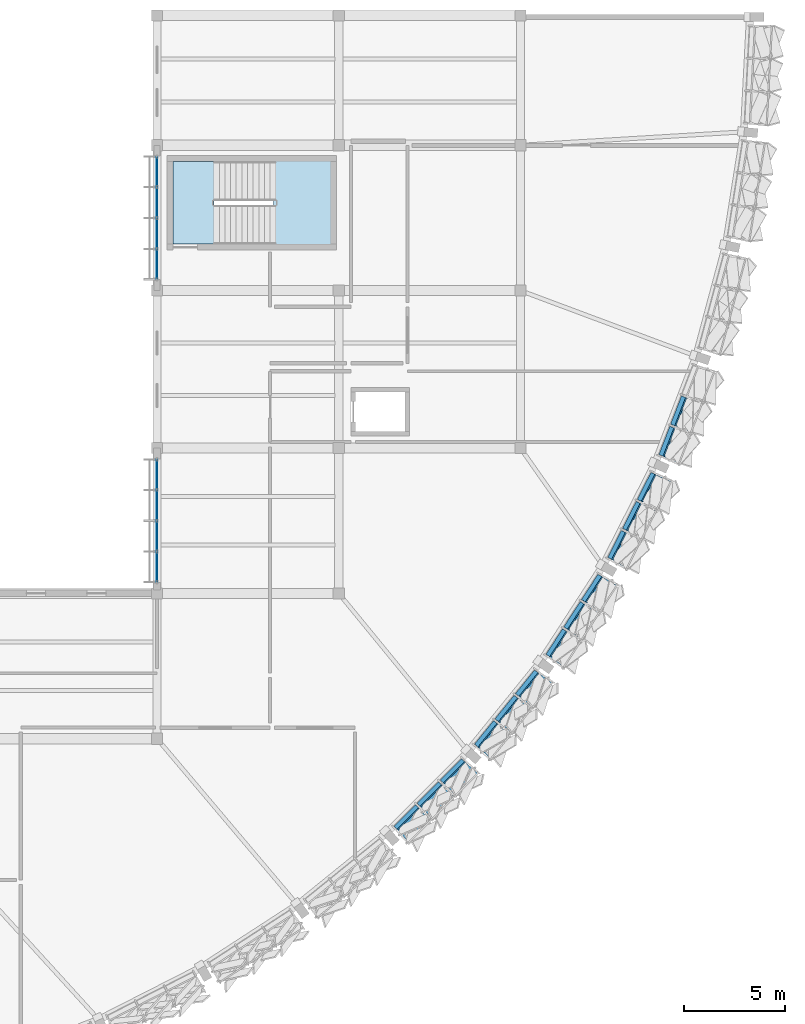
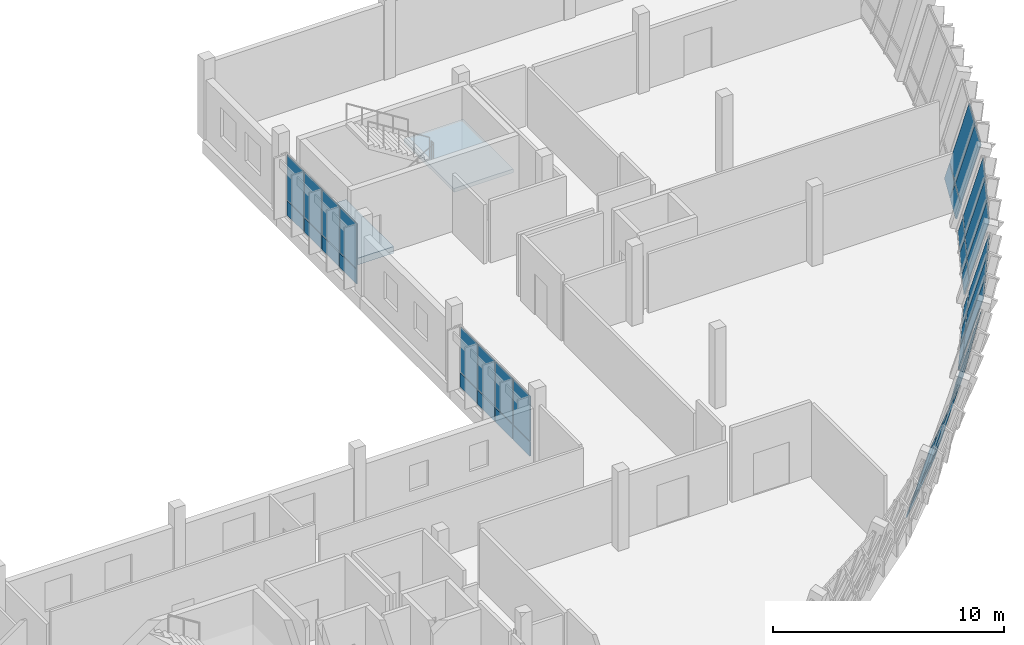
# One storey, part 77 of 94: 44 plates, 2 slabs, 8 elements without a shape of their own.
"""IFC4 building model written with IfcOpenShell, lengths in metres."""

from ifc_helpers import new_model, si_unit, direction, frame, origin, origin_2d, place, context, subcontext, project, spatial, polyline, rectangle, outline, extrude, material, layer, layer_set, type_object, element, aggregate, save


model = new_model("IFC4")

# Units and contexts
model_context = context("Model", 3, precision=1e-05, world=origin(), true_north=direction((0.0, 1.0)))
body_context = subcontext(model_context, "Body", "Model", "MODEL_VIEW")
ifc_project = project(units=[si_unit("LENGTHUNIT", "METRE"), si_unit("AREAUNIT", "SQUARE_METRE"), si_unit("VOLUMEUNIT", "CUBIC_METRE"), si_unit("PLANEANGLEUNIT", "RADIAN"), si_unit("MASSUNIT", "GRAM", prefix="KILO")], contexts=[model_context])

# Site, building, storey
site_placement = place(None, origin())
site = spatial("IfcSite", under=ifc_project, at=site_placement, CompositionType="ELEMENT")
building_placement = place(site_placement, origin())
building = spatial("IfcBuilding", under=site, at=building_placement, Name="Chiffa Square Polytechnic", CompositionType="ELEMENT")
storey_placement = place(building_placement, frame((0.0, 0.0, 18.0)))
storey = spatial("IfcBuildingStorey", under=building, at=storey_placement, Name="L04", CompositionType="ELEMENT", Elevation=18.0)

# Curtain wall, plates
ifc_material_1 = material(Name="Aluminium EN AW-6060 T66 and glulam shading", Category="wood")
curtain_wall_type_1 = type_object("IfcCurtainWallType", Name="CW-PROW-LEAN-300", PredefinedType="USERDEFINED", material=ifc_material_1)
curtain_wall_1_placement = place(storey_placement, origin())
curtain_wall_1 = element("IfcCurtainWall", 1, at=curtain_wall_1_placement, inside=storey, type_object=curtain_wall_type_1, Name="Outward-leaning diamond-fin prow curtain wall CW-V1-L04-074", ObjectType="CURTAIN WALL", PredefinedType="USERDEFINED")
ifc_material_2 = material(Name="Double glazing", Category="glass")
ifc_layer_1 = layer(ifc_material_2, 0.0419921875, Name="Double glazing")
ifc_layer_set_1 = layer_set([ifc_layer_1], Name="Double glazing")
plate_type_1 = type_object("IfcPlateType", Name="CWP-GLZ-138X126", PredefinedType="CURTAIN_PANEL", material=ifc_layer_set_1)
plate_1_placement = place(storey_placement, frame((173.27783203125, 35.58740234375, 0.8779296875), z_axis=(-0.898425546581, 0.344857250144, 0.271854766876), x_axis=(0.358353828073, 0.933585847099, 1.419332e-06)))
plate_1 = element("IfcPlate", 2, at=plate_1_placement, type_object=plate_type_1, Name="Leaning prow curtain panel CW-V1-L04-074-PN01", PredefinedType="CURTAIN_PANEL", context=body_context, shape_type="SweptSolid", body=[
    extrude(outline(polyline([(0.0, 0.0), (1.5028921894547227, 0.0), (1.4864274362400396, -3.1351633445435603), (-0.04443989789011704, -3.1351678189695193), (0.0, 0.0)])), origin(), (0.0, 0.0, -1.0), 0.0419921875),
])
plate_2_placement = place(storey_placement, frame((173.858154296875, 37.099365234375, 0.8779296875), z_axis=(-0.898382787257, 0.344965981489, 0.271858123247), x_axis=(0.358465237284, 0.933543075398, -5.901097e-06)))
plate_2 = element("IfcPlate", 3, at=plate_2_placement, type_object=plate_type_1, Name="Leaning prow curtain panel CW-V1-L04-074-PN02", PredefinedType="CURTAIN_PANEL", context=body_context, shape_type="SweptSolid", body=[
    extrude(outline(polyline([(0.0, 0.0), (1.5032076113464785, 0.0), (1.5166555842023903, -3.135177926080724), (-0.014299253882580177, -3.1351593204565655), (0.0, 0.0)])), origin(), (0.0, 0.0, -1.0), 0.0419921875),
])

curtain_wall_type_2 = type_object("IfcCurtainWallType", Name="CW-PROW-LEAN-150", PredefinedType="USERDEFINED", material=ifc_material_1)
curtain_wall_2_placement = place(storey_placement, origin())
curtain_wall_2 = element("IfcCurtainWall", 4, at=curtain_wall_2_placement, inside=storey, type_object=curtain_wall_type_2, Name="Outward-leaning diamond-fin prow curtain wall CW-V1-L04-073", ObjectType="CURTAIN WALL", PredefinedType="USERDEFINED")
ifc_layer_2 = layer(ifc_material_2, 0.0400390625, Name="Double glazing")
ifc_layer_set_2 = layer_set([ifc_layer_2], Name="Double glazing")
plate_type_2 = type_object("IfcPlateType", Name="CWP-GLZ-140X130", PredefinedType="CURTAIN_PANEL", material=ifc_layer_set_2)
plate_3_placement = place(storey_placement, frame((170.728515625, 30.47265625, 0.8779296875), z_axis=(-0.857399571789, 0.436988704776, 0.271858136157), x_axis=(0.454095679424, 0.890952924446, 1.8673782e-05)))
plate_3 = element("IfcPlate", 5, at=plate_3_placement, type_object=plate_type_2, Name="Leaning prow curtain panel CW-V1-L04-073-PN01", PredefinedType="CURTAIN_PANEL", context=body_context, shape_type="SweptSolid", body=[
    extrude(outline(polyline([(0.0, 0.0), (1.5025127706860748, 2.7755575615628914e-17), (1.4864285068759227, -3.135139794724372), (-0.04392510315198944, -3.13519864631711), (0.0, 0.0)])), origin(), (0.0, 0.0, -1.0), 0.0400390625),
])
plate_4_placement = place(storey_placement, frame((171.4638671875, 31.915283203125, 0.8779296875), z_axis=(-0.857435388735, 0.436890016484, 0.271903783795), x_axis=(0.453991950695, 0.89100578483, -1.0177481e-05)))
plate_4 = element("IfcPlate", 6, at=plate_4_placement, type_object=plate_type_2, Name="Leaning prow curtain panel CW-V1-L04-073-PN02", PredefinedType="CURTAIN_PANEL", context=body_context, shape_type="SweptSolid", body=[
    extrude(outline(polyline([(0.0, 0.0), (1.5026194419554888, 2.7755575615628914e-17), (1.5158316228126245, -3.135226684957794), (-0.014521990457310856, -3.135194608432592), (0.0, 0.0)])), origin(), (0.0, 0.0, -1.0), 0.0400390625),
])
plate_5_placement = place(storey_placement, frame((172.19921875, 33.35791015625, 0.8779296875), z_axis=(-0.857464110801, 0.436865183823, 0.271853103445), x_axis=(0.453956942268, 0.891023621556, -1.9909199e-05)))
plate_5 = element("IfcPlate", 7, at=plate_5_placement, type_object=plate_type_2, Name="Leaning prow curtain panel CW-V1-L04-073-PN03", PredefinedType="CURTAIN_PANEL", context=body_context, shape_type="SweptSolid", body=[
    extrude(outline(polyline([(0.0, 0.0), (1.5028369777661235, -2.7755575615628914e-17), (1.545793235899143, -3.1351959865249457), (0.015439626503744698, -3.1351332348226735), (0.0, 0.0)])), origin(), (0.0, 0.0, -1.0), 0.0400390625),
])

curtain_wall_3_placement = place(storey_placement, origin())
curtain_wall_3 = element("IfcCurtainWall", 8, at=curtain_wall_3_placement, inside=storey, type_object=curtain_wall_type_1, Name="Outward-leaning diamond-fin prow curtain wall CW-V1-L04-072", ObjectType="CURTAIN WALL", PredefinedType="USERDEFINED")
ifc_layer_3 = layer(ifc_material_2, 0.0400390625, Name="Double glazing")
ifc_layer_set_3 = layer_set([ifc_layer_3], Name="Double glazing")
plate_type_3 = type_object("IfcPlateType", Name="CWP-GLZ-144X134", PredefinedType="CURTAIN_PANEL", material=ifc_layer_set_3)
plate_6_placement = place(storey_placement, frame((167.65869140625, 25.65185546875, 0.8779296875), z_axis=(-0.806995457156, 0.524233297358, 0.271915027299), x_axis=(0.544756656366, 0.838594171954, -1.0447989e-05)))
plate_6 = element("IfcPlate", 9, at=plate_6_placement, type_object=plate_type_3, Name="Leaning prow curtain panel CW-V1-L04-072-PN01", PredefinedType="CURTAIN_PANEL", context=body_context, shape_type="SweptSolid", body=[
    extrude(outline(polyline([(0.0, 0.0), (1.5027812950252613, 0.0), (1.4868445509101562, -3.1352371466782776), (-0.04308992136854262, -3.1352042202716714), (0.0, 0.0)])), origin(), (0.0, 0.0, -1.0), 0.0400390625),
])
plate_7_placement = place(storey_placement, frame((168.540771484375, 27.009765625, 0.8779296875), z_axis=(-0.80700420807, 0.524238982049, 0.271878093743), x_axis=(0.544756657039, 0.838594171517, -1.0446683e-05)))
plate_7 = element("IfcPlate", 10, at=plate_7_placement, type_object=plate_type_3, Name="Leaning prow curtain panel CW-V1-L04-072-PN02", PredefinedType="CURTAIN_PANEL", context=body_context, shape_type="SweptSolid", body=[
    extrude(outline(polyline([(0.0, 0.0), (1.5027812950252373, 0.0), (1.5161676009513503, -3.1352034653993814), (-0.013766871327421135, -3.135170543465089), (0.0, 0.0)])), origin(), (0.0, 0.0, -1.0), 0.0400390625),
])
plate_8_placement = place(storey_placement, frame((169.4228515625, 28.36767578125, 0.8779296875), z_axis=(-0.807078440339, 0.524132250062, 0.271863523822), x_axis=(0.544648827393, 0.838664208528, 1.2386668e-05)))
plate_8 = element("IfcPlate", 11, at=plate_8_placement, type_object=plate_type_3, Name="Leaning prow curtain panel CW-V1-L04-072-PN03", PredefinedType="CURTAIN_PANEL", context=body_context, shape_type="SweptSolid", body=[
    extrude(outline(polyline([(0.0, 0.0), (1.502443566805338, 0.0), (1.5456546925204184, -3.1351537016749216), (0.01564846011909946, -3.1351927337338257), (0.0, 0.0)])), origin(), (0.0, 0.0, -1.0), 0.0400390625),
])

curtain_wall_4_placement = place(storey_placement, origin())
curtain_wall_4 = element("IfcCurtainWall", 12, at=curtain_wall_4_placement, inside=storey, type_object=curtain_wall_type_2, Name="Outward-leaning diamond-fin prow curtain wall CW-V1-L04-071", ObjectType="CURTAIN WALL", PredefinedType="USERDEFINED")
ifc_layer_4 = layer(ifc_material_2, 0.0380859375, Name="Double glazing")
ifc_layer_set_4 = layer_set([ifc_layer_4], Name="Double glazing")
plate_type_4 = type_object("IfcPlateType", Name="CWP-GLZ-146X138", PredefinedType="CURTAIN_PANEL", material=ifc_layer_set_4)
plate_9_placement = place(storey_placement, frame((164.102294921875, 21.177978515625, 0.8779296875), z_axis=(-0.747971515969, 0.605519194318, 0.271818168289), x_axis=(0.629203425127, 0.777240663478, -2.9065735e-05)))
plate_9 = element("IfcPlate", 13, at=plate_9_placement, type_object=plate_type_4, Name="Leaning prow curtain panel CW-V1-L04-071-PN01", PredefinedType="CURTAIN_PANEL", context=body_context, shape_type="SweptSolid", body=[
    extrude(outline(polyline([(0.0, 0.0), (1.502586668986872, 0.0), (1.486384360903116, -3.135176751574221), (-0.044114668537938474, -3.1350851435412626), (0.0, 0.0)])), origin(), (0.0, 0.0, -1.0), 0.0380859375),
])
plate_10_placement = place(storey_placement, frame((165.12109375, 22.4365234375, 0.8779296875), z_axis=(-0.74794076216, 0.605542261968, 0.27185140292), x_axis=(0.629237179502, 0.777213337365, -1.2457998e-05)))
plate_10 = element("IfcPlate", 14, at=plate_10_placement, type_object=plate_type_4, Name="Leaning prow curtain panel CW-V1-L04-071-PN02", PredefinedType="CURTAIN_PANEL", context=body_context, shape_type="SweptSolid", body=[
    extrude(outline(polyline([(0.0, 0.0), (1.5023969120229117, 0.0), (1.5161368376014908, -3.135182068392544), (-0.014018827012293409, -3.1351428103732615), (0.0, 0.0)])), origin(), (0.0, 0.0, -1.0), 0.0380859375),
])
plate_11_placement = place(storey_placement, frame((166.139892578125, 23.69482421875, 0.8779296875), z_axis=(-0.747956922678, 0.605507380341, 0.271884633938), x_axis=(0.629203422006, 0.777240666004, -2.9072275e-05)))
plate_11 = element("IfcPlate", 15, at=plate_11_placement, type_object=plate_type_4, Name="Leaning prow curtain panel CW-V1-L04-071-PN03", PredefinedType="CURTAIN_PANEL", context=body_context, shape_type="SweptSolid", body=[
    extrude(outline(polyline([(0.0, 0.0), (1.5025866689872074, 5.551115123125783e-17), (1.5462481700127555, -3.1352397402116594), (0.01574914057271287, -3.1351481097784784), (0.0, 0.0)])), origin(), (0.0, 0.0, -1.0), 0.0380859375),
])

curtain_wall_5_placement = place(storey_placement, origin())
curtain_wall_5 = element("IfcCurtainWall", 16, at=curtain_wall_5_placement, inside=storey, type_object=curtain_wall_type_1, Name="Outward-leaning diamond-fin prow curtain wall CW-V1-L04-070", ObjectType="CURTAIN WALL", PredefinedType="USERDEFINED")
ifc_layer_5 = layer(ifc_material_2, 0.0380859375, Name="Double glazing")
ifc_layer_set_5 = layer_set([ifc_layer_5], Name="Double glazing")
plate_type_5 = type_object("IfcPlateType", Name="CWP-GLZ-148X142", PredefinedType="CURTAIN_PANEL", material=ifc_layer_set_5)
plate_12_placement = place(storey_placement, frame((160.096435546875, 17.1005859375, 0.8779296875), z_axis=(-0.680520920797, 0.68044346565, 0.271823410347), x_axis=(0.707069510756, 0.707144049496, 1.4887513e-05)))
plate_12 = element("IfcPlate", 17, at=plate_12_placement, type_object=plate_type_5, Name="Leaning prow curtain panel CW-V1-L04-070-PN01", PredefinedType="CURTAIN_PANEL", context=body_context, shape_type="SweptSolid", body=[
    extrude(outline(polyline([(0.0, 0.0), (1.502947174750257, -2.7755575615628914e-17), (1.4870648980166945, -3.1351136761372533), (-0.04333101093996039, -3.1351606019617235), (0.0, 0.0)])), origin(), (0.0, 0.0, -1.0), 0.0380859375),
])
plate_13_placement = place(storey_placement, frame((161.24169921875, 18.245849609375, 0.8779296875), z_axis=(-0.68048718727, 0.68048718727, 0.271798410452), x_axis=(0.707106781187, 0.707106781187, 0.0)))
plate_13 = element("IfcPlate", 18, at=plate_13_placement, type_object=plate_type_5, Name="Leaning prow curtain panel CW-V1-L04-070-PN02", PredefinedType="CURTAIN_PANEL", context=body_context, shape_type="SweptSolid", body=[
    extrude(outline(polyline([(0.0, 0.0), (1.5026019100214136, 0.0), (1.5164125893414635, -3.1351136771951595), (-0.013810679320049757, -3.1351136771951595), (0.0, 0.0)])), origin(), (0.0, 0.0, -1.0), 0.0380859375),
])
plate_14_placement = place(storey_placement, frame((162.38671875, 19.390869140625, 0.8779296875), z_axis=(-0.680520726358, 0.680443262416, 0.271824405877), x_axis=(0.70706350423, 0.707150055332, -1.5161215e-05)))
plate_14 = element("IfcPlate", 19, at=plate_14_placement, type_object=plate_type_5, Name="Leaning prow curtain panel CW-V1-L04-070-PN03", PredefinedType="CURTAIN_PANEL", context=body_context, shape_type="SweptSolid", body=[
    extrude(outline(polyline([(0.0, 0.0), (1.5027745510911625, 0.0), (1.5460076536382674, -3.1351619535833333), (0.0157843880183862, -3.1351141704668755), (0.0, 0.0)])), origin(), (0.0, 0.0, -1.0), 0.0380859375),
])

curtain_wall_type_3 = type_object("IfcCurtainWallType", Name="CW-VERT-600X440", PredefinedType="USERDEFINED", material=ifc_material_1)
curtain_wall_6_placement = place(storey_placement, origin())
curtain_wall_6 = element("IfcCurtainWall", 20, at=curtain_wall_6_placement, inside=storey, type_object=curtain_wall_type_3, Name="Curtain wall CW-V1-L04-137", ObjectType="CURTAIN WALL", PredefinedType="USERDEFINED")
ifc_layer_6 = layer(ifc_material_2, 0.035888671875, Name="Double glazing")
ifc_layer_set_6 = layer_set([ifc_layer_6], Name="Double glazing")
plate_type_6 = type_object("IfcPlateType", Name="CWP-GLZ-150X125", PredefinedType="CURTAIN_PANEL", material=ifc_layer_set_6)
plate_15_placement = place(storey_placement, frame((148.199951171875, 34.68408203125, 0.83935546875), z_axis=(0.0, 0.0, 1.0), x_axis=(0.0, -1.0, 0.0)))
plate_15 = element("IfcPlate", 21, at=plate_15_placement, type_object=plate_type_6, Name="Glazed curtain panel CW-V1-L04-137-PN01", PredefinedType="CURTAIN_PANEL", context=body_context, shape_type="SweptSolid", body=[
    extrude(rectangle(XDim=1.4560546875, YDim=0.035888671875, at=origin_2d()), origin(), (0.0, 0.0, 1.0), 2.385009765625),
])
plate_16_placement = place(storey_placement, frame((148.199951171875, 33.1650390625, 0.83935546875), z_axis=(0.0, 0.0, 1.0), x_axis=(0.0, -1.0, 0.0)))
plate_16 = element("IfcPlate", 22, at=plate_16_placement, type_object=plate_type_6, Name="Glazed curtain panel CW-V1-L04-137-PN02", PredefinedType="CURTAIN_PANEL", context=body_context, shape_type="SweptSolid", body=[
    extrude(rectangle(XDim=1.47802734375, YDim=0.035888671875, at=origin_2d()), origin(), (0.0, 0.0, 1.0), 2.385009765625),
])
plate_17_placement = place(storey_placement, frame((148.199951171875, 31.635009765625, 0.83935546875), z_axis=(0.0, 0.0, 1.0), x_axis=(0.0, -1.0, 0.0)))
plate_17 = element("IfcPlate", 23, at=plate_17_placement, type_object=plate_type_6, Name="Glazed curtain panel CW-V1-L04-137-PN03", PredefinedType="CURTAIN_PANEL", context=body_context, shape_type="SweptSolid", body=[
    extrude(rectangle(XDim=1.47802734375, YDim=0.035888671875, at=origin_2d()), origin(), (0.0, 0.0, 1.0), 2.385009765625),
])
plate_18_placement = place(storey_placement, frame((148.199951171875, 30.115966796875, 0.83935546875), z_axis=(0.0, 0.0, 1.0), x_axis=(0.0, -1.0, 0.0)))
plate_18 = element("IfcPlate", 24, at=plate_18_placement, type_object=plate_type_6, Name="Glazed curtain panel CW-V1-L04-137-PN04", PredefinedType="CURTAIN_PANEL", context=body_context, shape_type="SweptSolid", body=[
    extrude(rectangle(XDim=1.4560546875, YDim=0.035888671875, at=origin_2d()), origin(), (0.0, 0.0, 1.0), 2.385009765625),
])

curtain_wall_type_4 = type_object("IfcCurtainWallType", Name="CW-VERT-450X440", PredefinedType="USERDEFINED", material=ifc_material_1)
curtain_wall_7_placement = place(storey_placement, origin())
curtain_wall_7 = element("IfcCurtainWall", 25, at=curtain_wall_7_placement, inside=storey, type_object=curtain_wall_type_4, Name="Curtain wall CW-V1-L04-136", ObjectType="CURTAIN WALL", PredefinedType="USERDEFINED")
ifc_layer_7 = layer(ifc_material_2, 0.035888671875, Name="Double glazing")
ifc_layer_set_7 = layer_set([ifc_layer_7], Name="Double glazing")
plate_type_7 = type_object("IfcPlateType", Name="CWP-GLZ-150X145", PredefinedType="CURTAIN_PANEL", material=ifc_layer_set_7)
plate_19_placement = place(storey_placement, frame((148.199951171875, 49.68408203125, 0.83935546875), z_axis=(0.0, 0.0, 1.0), x_axis=(0.0, -1.0, 0.0)))
plate_19 = element("IfcPlate", 26, at=plate_19_placement, type_object=plate_type_7, Name="Glazed curtain panel CW-V1-L04-136-PN01", PredefinedType="CURTAIN_PANEL", context=body_context, shape_type="SweptSolid", body=[
    extrude(rectangle(XDim=1.4560546875, YDim=0.035888671875, at=origin_2d()), origin(), (0.0, 0.0, 1.0), 2.385009765625),
])
plate_20_placement = place(storey_placement, frame((148.199951171875, 48.1650390625, 0.83935546875), z_axis=(0.0, 0.0, 1.0), x_axis=(0.0, -1.0, 0.0)))
plate_20 = element("IfcPlate", 27, at=plate_20_placement, type_object=plate_type_7, Name="Glazed curtain panel CW-V1-L04-136-PN02", PredefinedType="CURTAIN_PANEL", context=body_context, shape_type="SweptSolid", body=[
    extrude(rectangle(XDim=1.47802734375, YDim=0.035888671875, at=origin_2d()), origin(), (0.0, 0.0, 1.0), 2.385009765625),
])
plate_21_placement = place(storey_placement, frame((148.199951171875, 46.635009765625, 0.83935546875), z_axis=(0.0, 0.0, 1.0), x_axis=(0.0, -1.0, 0.0)))
plate_21 = element("IfcPlate", 28, at=plate_21_placement, type_object=plate_type_7, Name="Glazed curtain panel CW-V1-L04-136-PN03", PredefinedType="CURTAIN_PANEL", context=body_context, shape_type="SweptSolid", body=[
    extrude(rectangle(XDim=1.47802734375, YDim=0.035888671875, at=origin_2d()), origin(), (0.0, 0.0, 1.0), 2.385009765625),
])
plate_22_placement = place(storey_placement, frame((148.199951171875, 45.115966796875, 0.83935546875), z_axis=(0.0, 0.0, 1.0), x_axis=(0.0, -1.0, 0.0)))
plate_22 = element("IfcPlate", 29, at=plate_22_placement, type_object=plate_type_7, Name="Glazed curtain panel CW-V1-L04-136-PN04", PredefinedType="CURTAIN_PANEL", context=body_context, shape_type="SweptSolid", body=[
    extrude(rectangle(XDim=1.4560546875, YDim=0.035888671875, at=origin_2d()), origin(), (0.0, 0.0, 1.0), 2.385009765625),
])

# Plate
ifc_material_3 = material(Name="Aluminium insulated spandrel", Category="aluminium")
ifc_layer_8 = layer(ifc_material_3, 0.06591796875, Name="Aluminium insulated spandrel")
ifc_layer_set_8 = layer_set([ifc_layer_8], Name="Aluminium insulated spandrel")
plate_type_8 = type_object("IfcPlateType", Name="CWP-SPN-144X078", PredefinedType="SHEET", material=ifc_layer_set_8)
plate_23_placement = place(storey_placement, frame((173.063720703125, 35.682373046875, 0.050048828125), z_axis=(-0.898406167686, 0.344895808094, 0.271869894293), x_axis=(0.358389755947, 0.933572055291, -2.0308408e-05)))
plate_23 = element("IfcPlate", 30, at=plate_23_placement, type_object=plate_type_8, Name="Leaning prow curtain panel CW-V1-L04-074-SP01", PredefinedType="SHEET", context=body_context, shape_type="SweptSolid", body=[
    extrude(outline(polyline([(0.0, 0.0), (1.495547875613168, 0.0), (1.4911701217328839, -0.8022193188114987), (-0.011266220860991251, -0.8021560515003511), (0.0, 0.0)])), origin(), (0.0, 0.0, -1.0), 0.06591796875),
])

plate_24_placement = place(storey_placement, frame((173.64111328125, 37.18701171875, 0.050048828125), z_axis=(-0.898354470648, 0.344954324825, 0.27196646641), x_axis=(0.358470038693, 0.93354123162, 1.4989361e-05)))
plate_24 = element("IfcPlate", 31, at=plate_24_placement, type_object=plate_type_8, Name="Leaning prow curtain panel CW-V1-L04-074-SP02", PredefinedType="SHEET", context=body_context, shape_type="SweptSolid", body=[
    extrude(outline(polyline([(0.0, 0.0), (1.4954074627376743, -2.7755575615628914e-17), (1.498875871115455, -0.8021872503776712), (-0.0037883921281499896, -0.8022339498113228), (0.0, 0.0)])), origin(), (0.0, 0.0, -1.0), 0.06591796875),
])

aggregate(curtain_wall_1, [plate_23, plate_1, plate_24, plate_2])

ifc_layer_9 = layer(ifc_material_3, 0.06396484375, Name="Aluminium insulated spandrel")
ifc_layer_set_9 = layer_set([ifc_layer_9], Name="Aluminium insulated spandrel")
plate_type_9 = type_object("IfcPlateType", Name="CWP-SPN-146X082", PredefinedType="SHEET", material=ifc_layer_set_9)
plate_25_placement = place(storey_placement, frame((170.525634765625, 30.589599609375, 0.050048828125), z_axis=(-0.857384350929, 0.437001074824, 0.271886254499), x_axis=(0.454108789296, 0.890946242745, 4.79565e-06)))
plate_25 = element("IfcPlate", 32, at=plate_25_placement, type_object=plate_type_9, Name="Leaning prow curtain panel CW-V1-L04-073-SP01", PredefinedType="SHEET", context=body_context, shape_type="SweptSolid", body=[
    extrude(outline(polyline([(0.0, 0.0), (1.4950877059199092, -2.7755575615628914e-17), (1.4908798254548286, -0.8021842733650961), (-0.011304564198530995, -0.8021992099015535), (0.0, 0.0)])), origin(), (0.0, 0.0, -1.0), 0.06396484375),
])

plate_26_placement = place(storey_placement, frame((171.257080078125, 32.02490234375, 0.050048828125), z_axis=(-0.857401558969, 0.4369698959, 0.271882100836), x_axis=(0.454073388827, 0.890964285218, -4.926752e-06)))
plate_26 = element("IfcPlate", 33, at=plate_26_placement, type_object=plate_type_9, Name="Leaning prow curtain panel CW-V1-L04-073-SP02", PredefinedType="SHEET", context=body_context, shape_type="SweptSolid", body=[
    extrude(outline(polyline([(0.0, 0.0), (1.4953052243079044, -2.7755575615628914e-17), (1.4985062377534821, -0.8021983965022963), (-0.0036781518828434513, -0.8021830505401066), (0.0, 0.0)])), origin(), (0.0, 0.0, -1.0), 0.06396484375),
])

plate_27_placement = place(storey_placement, frame((171.98876953125, 33.46044921875, 0.050048828125), z_axis=(-0.857418602697, 0.436940143667, 0.271876167771), x_axis=(0.454039325774, 0.890981644282, -1.4283645e-05)))
plate_27 = element("IfcPlate", 34, at=plate_27_placement, type_object=plate_type_9, Name="Leaning prow curtain panel CW-V1-L04-073-SP03", PredefinedType="SHEET", context=body_context, shape_type="SweptSolid", body=[
    extrude(outline(polyline([(0.0, 0.0), (1.494976849817359, -2.7755575615628914e-17), (1.5061332619530687, -0.8022116826834194), (0.003948874705984229, -0.8021671966044613), (0.0, 0.0)])), origin(), (0.0, 0.0, -1.0), 0.06396484375),
])

aggregate(curtain_wall_2, [plate_25, plate_3, plate_26, plate_4, plate_27, plate_5])

plate_28_placement = place(storey_placement, frame((148.199951171875, 34.68408203125, 0.050048828125), z_axis=(0.0, 0.0, 1.0), x_axis=(0.0, -1.0, 0.0)))
plate_28 = element("IfcPlate", 35, at=plate_28_placement, type_object=plate_type_9, Name="Spandrel panel CW-V1-L04-137-SP01", PredefinedType="SHEET", context=body_context, shape_type="SweptSolid", body=[
    extrude(rectangle(XDim=1.4560546875, YDim=0.06396484375, at=origin_2d()), origin(), (0.0, 0.0, 1.0), 0.75),
])

plate_29_placement = place(storey_placement, frame((148.199951171875, 33.1650390625, 0.050048828125), z_axis=(0.0, 0.0, 1.0), x_axis=(0.0, -1.0, 0.0)))
plate_29 = element("IfcPlate", 36, at=plate_29_placement, type_object=plate_type_9, Name="Spandrel panel CW-V1-L04-137-SP02", PredefinedType="SHEET", context=body_context, shape_type="SweptSolid", body=[
    extrude(rectangle(XDim=1.47802734375, YDim=0.06396484375, at=origin_2d()), origin(), (0.0, 0.0, 1.0), 0.75),
])

plate_30_placement = place(storey_placement, frame((148.199951171875, 31.635009765625, 0.050048828125), z_axis=(0.0, 0.0, 1.0), x_axis=(0.0, -1.0, 0.0)))
plate_30 = element("IfcPlate", 37, at=plate_30_placement, type_object=plate_type_9, Name="Spandrel panel CW-V1-L04-137-SP03", PredefinedType="SHEET", context=body_context, shape_type="SweptSolid", body=[
    extrude(rectangle(XDim=1.47802734375, YDim=0.06396484375, at=origin_2d()), origin(), (0.0, 0.0, 1.0), 0.75),
])

plate_31_placement = place(storey_placement, frame((148.199951171875, 30.115966796875, 0.050048828125), z_axis=(0.0, 0.0, 1.0), x_axis=(0.0, -1.0, 0.0)))
plate_31 = element("IfcPlate", 38, at=plate_31_placement, type_object=plate_type_9, Name="Spandrel panel CW-V1-L04-137-SP04", PredefinedType="SHEET", context=body_context, shape_type="SweptSolid", body=[
    extrude(rectangle(XDim=1.4560546875, YDim=0.06396484375, at=origin_2d()), origin(), (0.0, 0.0, 1.0), 0.75),
])

aggregate(curtain_wall_6, [plate_28, plate_15, plate_29, plate_16, plate_30, plate_17, plate_31, plate_18])

ifc_layer_10 = layer(ifc_material_3, 0.06201171875, Name="Aluminium insulated spandrel")
ifc_layer_set_10 = layer_set([ifc_layer_10], Name="Aluminium insulated spandrel")
plate_type_10 = type_object("IfcPlateType", Name="CWP-SPN-148X084", PredefinedType="SHEET", material=ifc_layer_set_10)
plate_32_placement = place(storey_placement, frame((167.468994140625, 25.789306640625, 0.050048828125), z_axis=(-0.807027594445, 0.524144670168, 0.271990489794), x_axis=(0.544681600665, 0.838642923887, 1.0526813e-05)))
plate_32 = element("IfcPlate", 39, at=plate_32_placement, type_object=plate_type_10, Name="Leaning prow curtain panel CW-V1-L04-072-SP01", PredefinedType="SHEET", context=body_context, shape_type="SweptSolid", body=[
    extrude(outline(polyline([(0.0, 0.0), (1.4951972355721412, 0.0), (1.491031602126925, -0.8021999470638211), (-0.01107424042355358, -0.8022327352297765), (0.0, 0.0)])), origin(), (0.0, 0.0, -1.0), 0.06201171875),
])

plate_33_placement = place(storey_placement, frame((168.3466796875, 27.140380859375, 0.050048828125), z_axis=(-0.80701342899, 0.52421385131, 0.27189917897), x_axis=(0.544734648399, 0.838608468106, -7.349463e-06)))
plate_33 = element("IfcPlate", 40, at=plate_33_placement, type_object=plate_type_10, Name="Leaning prow curtain panel CW-V1-L04-072-SP02", PredefinedType="SHEET", context=body_context, shape_type="SweptSolid", body=[
    extrude(outline(polyline([(0.0, 0.0), (1.495197236145763, 2.7755575615628914e-17), (1.4986156608248737, -0.8022061921964543), (-0.0036231665340083234, -0.8021833002127263), (0.0, 0.0)])), origin(), (0.0, 0.0, -1.0), 0.06201171875),
])

plate_34_placement = place(storey_placement, frame((169.22412109375, 28.491455078125, 0.050048828125), z_axis=(-0.807007206236, 0.524209809179, 0.27192544023), x_axis=(0.544743138234, 0.838602952854, 2.8479167e-05)))
plate_34 = element("IfcPlate", 41, at=plate_34_placement, type_object=plate_type_10, Name="Leaning prow curtain panel CW-V1-L04-072-SP03", PredefinedType="SHEET", context=body_context, shape_type="SweptSolid", body=[
    extrude(outline(polyline([(0.0, 0.0), (1.4953302290396526, 0.0), (1.5062295872302847, -0.8021563571037361), (0.004123753990490719, -0.8022450642181461), (0.0, 0.0)])), origin(), (0.0, 0.0, -1.0), 0.06201171875),
])

aggregate(curtain_wall_3, [plate_32, plate_6, plate_33, plate_7, plate_34, plate_8])

plate_35_placement = place(storey_placement, frame((148.199951171875, 49.68408203125, 0.050048828125), z_axis=(0.0, 0.0, 1.0), x_axis=(0.0, -1.0, 0.0)))
plate_35 = element("IfcPlate", 42, at=plate_35_placement, type_object=plate_type_10, Name="Spandrel panel CW-V1-L04-136-SP01", PredefinedType="SHEET", context=body_context, shape_type="SweptSolid", body=[
    extrude(rectangle(XDim=1.4560546875, YDim=0.06201171875, at=origin_2d()), origin(), (0.0, 0.0, 1.0), 0.75),
])

plate_36_placement = place(storey_placement, frame((148.199951171875, 48.1650390625, 0.050048828125), z_axis=(0.0, 0.0, 1.0), x_axis=(0.0, -1.0, 0.0)))
plate_36 = element("IfcPlate", 43, at=plate_36_placement, type_object=plate_type_10, Name="Spandrel panel CW-V1-L04-136-SP02", PredefinedType="SHEET", context=body_context, shape_type="SweptSolid", body=[
    extrude(rectangle(XDim=1.47802734375, YDim=0.06201171875, at=origin_2d()), origin(), (0.0, 0.0, 1.0), 0.75),
])

plate_37_placement = place(storey_placement, frame((148.199951171875, 46.635009765625, 0.050048828125), z_axis=(0.0, 0.0, 1.0), x_axis=(0.0, -1.0, 0.0)))
plate_37 = element("IfcPlate", 44, at=plate_37_placement, type_object=plate_type_10, Name="Spandrel panel CW-V1-L04-136-SP03", PredefinedType="SHEET", context=body_context, shape_type="SweptSolid", body=[
    extrude(rectangle(XDim=1.47802734375, YDim=0.06201171875, at=origin_2d()), origin(), (0.0, 0.0, 1.0), 0.75),
])

plate_38_placement = place(storey_placement, frame((148.199951171875, 45.115966796875, 0.050048828125), z_axis=(0.0, 0.0, 1.0), x_axis=(0.0, -1.0, 0.0)))
plate_38 = element("IfcPlate", 45, at=plate_38_placement, type_object=plate_type_10, Name="Spandrel panel CW-V1-L04-136-SP04", PredefinedType="SHEET", context=body_context, shape_type="SweptSolid", body=[
    extrude(rectangle(XDim=1.4560546875, YDim=0.06201171875, at=origin_2d()), origin(), (0.0, 0.0, 1.0), 0.75),
])

aggregate(curtain_wall_7, [plate_35, plate_19, plate_36, plate_20, plate_37, plate_21, plate_38, plate_22])

ifc_layer_11 = layer(ifc_material_3, 0.06005859375, Name="Aluminium insulated spandrel")
ifc_layer_set_11 = layer_set([ifc_layer_11], Name="Aluminium insulated spandrel")
plate_type_11 = type_object("IfcPlateType", Name="CWP-SPN-150X080", PredefinedType="SHEET", material=ifc_layer_set_11)
plate_39_placement = place(storey_placement, frame((163.927978515625, 21.334716796875, 0.050048828125), z_axis=(-0.747919332325, 0.605563027168, 0.271864106606), x_axis=(0.629262462215, 0.777192867703, -6.271746e-06)))
plate_39 = element("IfcPlate", 46, at=plate_39_placement, type_object=plate_type_11, Name="Leaning prow curtain panel CW-V1-L04-071-SP01", PredefinedType="SHEET", context=body_context, shape_type="SweptSolid", body=[
    extrude(outline(polyline([(0.0, 0.0), (1.4949241026149995, -2.7755575615628914e-17), (1.4908981734076083, -0.8021962035981234), (-0.011308991399589588, -0.8021766706579705), (0.0, 0.0)])), origin(), (0.0, 0.0, -1.0), 0.06005859375),
])

plate_40_placement = place(storey_placement, frame((164.941650390625, 22.586669921875, 0.050048828125), z_axis=(-0.747954397747, 0.605513024651, 0.271879009615), x_axis=(0.629216892655, 0.777229761327, 1.0292696e-05)))
plate_40 = element("IfcPlate", 47, at=plate_40_placement, type_object=plate_type_11, Name="Leaning prow curtain panel CW-V1-L04-071-SP02", PredefinedType="SHEET", context=body_context, shape_type="SweptSolid", body=[
    extrude(outline(polyline([(0.0, 0.0), (1.4949241019415342, -2.7755575615628914e-17), (1.4983709824467408, -0.8021739708179295), (-0.003682560065667195, -0.8022060252409472), (0.0, 0.0)])), origin(), (0.0, 0.0, -1.0), 0.06005859375),
])

plate_41_placement = place(storey_placement, frame((165.955322265625, 23.838623046875, 0.050048828125), z_axis=(-0.747965891712, 0.605522329691, 0.271826659991), x_axis=(0.629216891785, 0.777229762031, 1.0290872e-05)))
plate_41 = element("IfcPlate", 48, at=plate_41_placement, type_object=plate_type_11, Name="Leaning prow curtain panel CW-V1-L04-071-SP03", PredefinedType="SHEET", context=body_context, shape_type="SweptSolid", body=[
    extrude(outline(polyline([(0.0, 0.0), (1.4949241019415012, 0.0), (1.5061871628959143, -0.8021615630964108), (0.004133620383407114, -0.8021936113474295), (0.0, 0.0)])), origin(), (0.0, 0.0, -1.0), 0.06005859375),
])

aggregate(curtain_wall_4, [plate_39, plate_9, plate_40, plate_10, plate_41, plate_11])

ifc_layer_12 = layer(ifc_material_3, 0.06005859375, Name="Aluminium insulated spandrel")
ifc_layer_set_12 = layer_set([ifc_layer_12], Name="Aluminium insulated spandrel")
plate_type_12 = type_object("IfcPlateType", Name="CWP-SPN-150X095", PredefinedType="SHEET", material=ifc_layer_set_12)
plate_42_placement = place(storey_placement, frame((159.939453125, 17.2744140625, 0.050048828125), z_axis=(-0.680466116256, 0.68054449291, 0.271707669743), x_axis=(0.707144494157, 0.707069066045, -1.505822e-05)))
plate_42 = element("IfcPlate", 49, at=plate_42_placement, type_object=plate_type_12, Name="Leaning prow curtain panel CW-V1-L04-070-SP01", PredefinedType="SHEET", context=body_context, shape_type="SweptSolid", body=[
    extrude(outline(polyline([(0.0, 0.0), (1.4953513010819388, 0.0), (1.4913807353642237, -0.8021729962838243), (-0.011048548065904107, -0.802126090440057), (0.0, 0.0)])), origin(), (0.0, 0.0, -1.0), 0.06005859375),
])

plate_43_placement = place(storey_placement, frame((161.078857421875, 18.413818359375, 0.050048828125), z_axis=(-0.680563880647, 0.680407122872, 0.271806827553), x_axis=(0.707025316757, 0.707188236232, -7.3051e-08)))
plate_43 = element("IfcPlate", 50, at=plate_43_placement, type_object=plate_type_12, Name="Leaning prow curtain panel CW-V1-L04-070-SP02", PredefinedType="SHEET", context=body_context, shape_type="SweptSolid", body=[
    extrude(outline(polyline([(0.0, 0.0), (1.4951786798529736, -2.7755575615628914e-17), (1.4987788086788552, -0.8021731139193005), (-0.0036504777690317793, -0.8021728863746317), (0.0, 0.0)])), origin(), (0.0, 0.0, -1.0), 0.06005859375),
])

plate_44_placement = place(storey_placement, frame((162.21826171875, 19.55322265625, 0.050048828125), z_axis=(-0.680504690185, 0.680426309087, 0.271906977729), x_axis=(0.707063029647, 0.707150529857, -1.5141459e-05)))
plate_44 = element("IfcPlate", 51, at=plate_44_placement, type_object=plate_type_12, Name="Leaning prow curtain panel CW-V1-L04-070-SP03", PredefinedType="SHEET", context=body_context, shape_type="SweptSolid", body=[
    extrude(outline(polyline([(0.0, 0.0), (1.4951786775347904, -2.7755575615628914e-17), (1.5062020311668949, -0.8022202829161424), (0.003945391176116214, -0.8021731204566698), (0.0, 0.0)])), origin(), (0.0, 0.0, -1.0), 0.06005859375),
])

aggregate(curtain_wall_5, [plate_42, plate_12, plate_43, plate_13, plate_44, plate_14])

# Slab
ifc_material_4 = material(Name="Concrete C40/50", Category="concrete")
ifc_layer_13 = layer(ifc_material_4, 0.35009765625, Name="Concrete C40/50")
ifc_layer_set_13 = layer_set([ifc_layer_13], Name="Concrete C40/50")
slab_type_1 = type_object("IfcSlabType", Name="SLB-FLR-350", PredefinedType="FLOOR", material=ifc_layer_set_13)
slab_1_placement = place(storey_placement, frame((0.0, 0.0, -0.35009765625)))
element("IfcSlab", 52, at=slab_1_placement, inside=storey, type_object=slab_type_1, Name="Stair core floor landing slab SLB-CORE-CORE-V1B-L04", PredefinedType="FLOOR", context=body_context, shape_type="SweptSolid", body=[
    extrude(outline(polyline([(149.0, 46.10009765625), (151.011962890625, 46.10009765625), (151.011962890625, 50.199951171875), (149.0, 50.199951171875), (149.0, 46.10009765625)])), origin(), (0.0, 0.0, 1.0), 0.35009765625),
])

# Stair, slab
ifc_material_5 = material(Name="Concrete C35/45", Category="concrete")
stair_type = type_object("IfcStairType", Name="STAIR-DOG-1950", PredefinedType="HALF_TURN_STAIR", material=ifc_material_5)
stair_placement = place(storey_placement, origin())
stair = element("IfcStair", 53, at=stair_placement, inside=storey, type_object=stair_type, Name="L04 Enclosed exit stair ST-V1B", PredefinedType="HALF_TURN_STAIR")
ifc_layer_14 = layer(ifc_material_5, 0.199951171875, Name="Concrete C35/45")
ifc_layer_set_14 = layer_set([ifc_layer_14], Name="Concrete C35/45")
slab_type_2 = type_object("IfcSlabType", Name="SLB-LND-200", PredefinedType="LANDING", material=ifc_layer_set_14)
slab_2_placement = place(storey_placement, frame((0.0, 0.0, 1.89990234375)))
slab_2 = element("IfcSlab", 54, at=slab_2_placement, type_object=slab_type_2, Name="ST-V1B landing 1", PredefinedType="LANDING", context=body_context, shape_type="SweptSolid", body=[
    extrude(outline(polyline([(153.9599609375, 45.97998046875), (153.9599609375, 50.320068359375), (156.919921875, 50.320068359375), (156.919921875, 45.97998046875), (153.9599609375, 45.97998046875)])), origin(), (0.0, 0.0, 1.0), 0.2001953125),
])
aggregate(stair, [slab_2])

save(model, "model.ifc")
